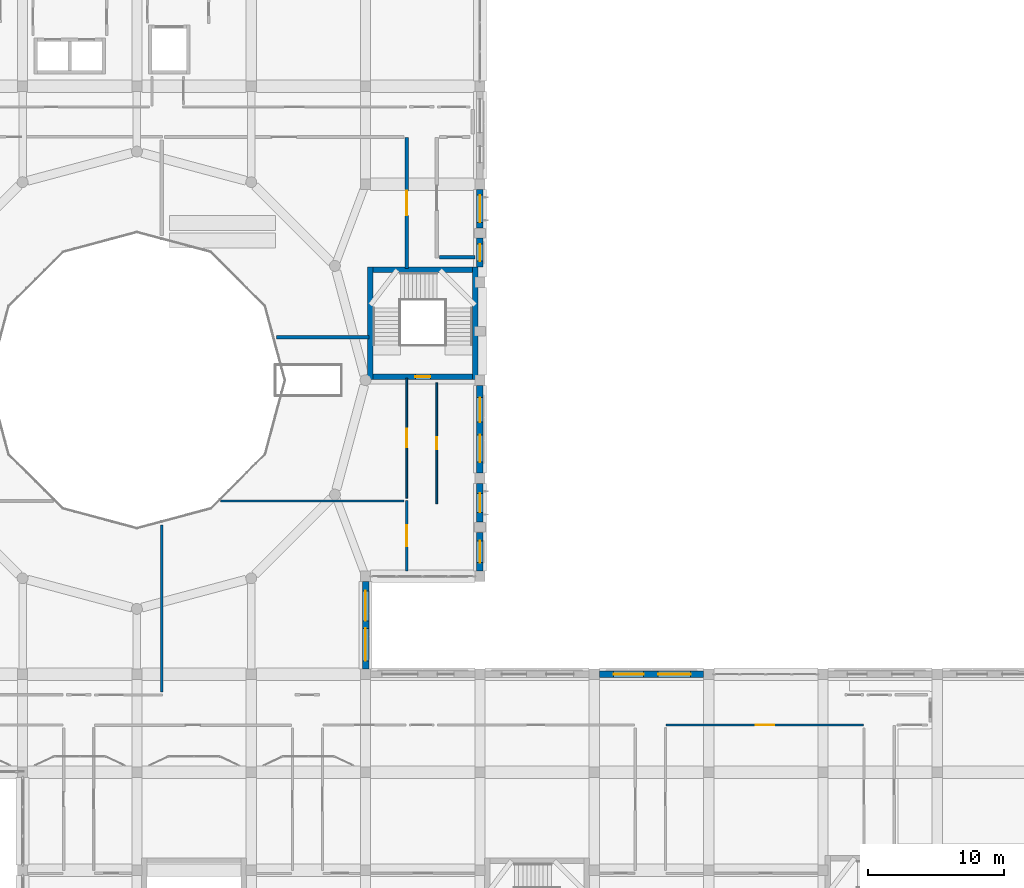
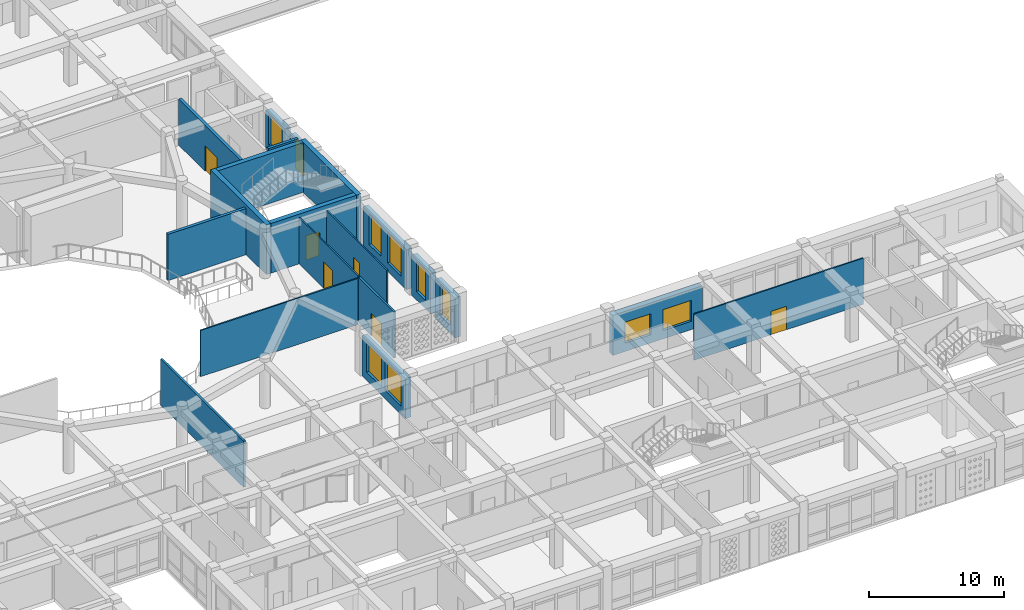
# One storey, part 79 of 121: 20 walls, 10 windows, 6 doors, 16 openings.
"""IFC4 building model written with IfcOpenShell, lengths in metres."""

from ifc_helpers import new_model, si_unit, derived_unit, direction, frame, frame_2d, origin, place, context, subcontext, project, spatial, rectangle, extrude, material, layer, layer_set, type_object, element, fill, save


model = new_model("IFC4")

# Units and contexts
model_context = context("Model", 3, precision=1e-05, world=origin(), true_north=direction((0.0, 1.0)))
body_context = subcontext(model_context, "Body", "Model", "MODEL_VIEW")
ifc_project = project(units=[si_unit("LENGTHUNIT", "METRE"), si_unit("AREAUNIT", "SQUARE_METRE"), si_unit("VOLUMEUNIT", "CUBIC_METRE"), si_unit("PLANEANGLEUNIT", "RADIAN"), si_unit("MASSUNIT", "GRAM", prefix="KILO"), derived_unit("THERMALTRANSMITTANCEUNIT", [(si_unit("POWERUNIT", "WATT"), 1), (si_unit("LENGTHUNIT", "METRE"), -2), (si_unit("THERMODYNAMICTEMPERATUREUNIT", "KELVIN"), -1)])], contexts=[model_context])

# Site, building, storey
site_placement = place(None, origin())
site = spatial("IfcSite", under=ifc_project, at=site_placement, CompositionType="ELEMENT")
building_placement = place(site_placement, origin())
building = spatial("IfcBuilding", under=site, at=building_placement, Name="Veybourne Emporium", CompositionType="ELEMENT")
storey_placement = place(building_placement, frame((0.0, 0.0, 5.39990234375)))
storey = spatial("IfcBuildingStorey", under=building, at=storey_placement, Name="L01", CompositionType="ELEMENT", Elevation=5.39990234375)

# Wall, openings, windows
ifc_material_1 = material(Name="Portland Limestone Ashlar", Category="masonry")
ifc_layer_1 = layer(ifc_material_1, 0.47998046875)
ifc_layer_set_1 = layer_set([ifc_layer_1], Name="Portland Limestone Ashlar")
wall_type_1 = type_object("IfcWallType", Name="ExtWall_EW-01", PredefinedType="SOLIDWALL", material=ifc_layer_set_1)
wall_1_placement = place(storey_placement, frame((92.39990234375, 35.625, 0.0), z_axis=(0.0, 0.0, 1.0), x_axis=(0.0, -1.0, 0.0)))
wall_1 = element("IfcWall", 1, at=wall_1_placement, inside=storey, type_object=wall_type_1, Name="L01 Portland stone external wall 044", PredefinedType="SOLIDWALL", context=body_context, shape_type="SweptSolid", body=[
    extrude(rectangle(XDim=6.449951171875, YDim=0.47998046875, at=frame_2d((3.22509765625, 0.0))), origin(), (0.0, 0.0, 1.0), 3.630126953125),
])
opening_1_placement = place(wall_1_placement, frame((0.7060546875, 0.0, 0.75)))
opening_1 = element("IfcOpeningElement", 2, at=opening_1_placement, cuts=wall_1, Name="Opening W-38", PredefinedType="OPENING", context=body_context, shape_type="SweptSolid", body=[
    extrude(rectangle(XDim=2.199951171875, YDim=2.6201171875, at=frame_2d((1.10009765625, 1.31005859375))), frame((0.0, 0.260009765625, 0.0), z_axis=(0.0, -1.0, 0.0), x_axis=(1.0, 0.0, 0.0)), (0.0, 0.0, 1.0), 0.52001953125),
])
opening_2_placement = place(wall_1_placement, frame((3.444091796875, 0.0, 0.75)))
opening_2 = element("IfcOpeningElement", 3, at=opening_2_placement, cuts=wall_1, Name="Opening W-39", PredefinedType="OPENING", context=body_context, shape_type="SweptSolid", body=[
    extrude(rectangle(XDim=2.39990234375, YDim=2.6201171875, at=frame_2d((1.199951171875, 1.31005859375))), frame((0.0, 0.260009765625, 0.0), z_axis=(0.0, -1.0, 0.0), x_axis=(1.0, 0.0, 0.0)), (0.0, 0.0, 1.0), 0.52001953125),
])
ifc_material_2 = material(Name="Low-E Triple Glazing", Category="glass")
window_type_1 = type_object("IfcWindowType", Name="Win_W-38", PartitioningType="TRIPLE_PANEL_VERTICAL", PredefinedType="WINDOW", material=ifc_material_2)
window_1_placement = place(opening_1_placement, origin())
window_1 = element("IfcWindow", 4, at=window_1_placement, inside=storey, type_object=window_type_1, Name="L01 tripartite bronze casement window W-38 (44.1)", OverallHeight=2.6201171875, OverallWidth=2.199951171875, PartitioningType="TRIPLE_PANEL_VERTICAL", PredefinedType="WINDOW", context=body_context, shape_type="SweptSolid", body=[
    extrude(rectangle(XDim=2.199951171875, YDim=2.6201171875, at=frame_2d((1.10009765625, 1.31005859375))), frame((0.0, 0.030029296875, 0.0), z_axis=(0.0, -1.0, 0.0), x_axis=(1.0, 0.0, 0.0)), (0.0, 0.0, 1.0), 0.06005859375),
])
fill(opening_1, window_1)
window_type_2 = type_object("IfcWindowType", Name="Win_W-39", PartitioningType="TRIPLE_PANEL_VERTICAL", PredefinedType="WINDOW", material=ifc_material_2)
window_2_placement = place(opening_2_placement, origin())
window_2 = element("IfcWindow", 5, at=window_2_placement, inside=storey, type_object=window_type_2, Name="L01 tripartite bronze casement window W-39 (44.2)", OverallHeight=2.6201171875, OverallWidth=2.39990234375, PartitioningType="TRIPLE_PANEL_VERTICAL", PredefinedType="WINDOW", context=body_context, shape_type="SweptSolid", body=[
    extrude(rectangle(XDim=2.39990234375, YDim=2.6201171875, at=frame_2d((1.199951171875, 1.31005859375))), frame((0.0, 0.030029296875, 0.0), z_axis=(0.0, -1.0, 0.0), x_axis=(1.0, 0.0, 0.0)), (0.0, 0.0, 1.0), 0.06005859375),
])
fill(opening_2, window_2)

# Wall, opening, window
wall_2_placement = place(storey_placement, frame((100.800048828125, 42.824951171875, 0.0), z_axis=(0.0, 0.0, 1.0), x_axis=(0.0, -1.0, 0.0)))
wall_2 = element("IfcWall", 6, at=wall_2_placement, inside=storey, type_object=wall_type_1, Name="L01 Portland stone external wall 049A", PredefinedType="SOLIDWALL", context=body_context, shape_type="SweptSolid", body=[
    extrude(rectangle(XDim=2.85498046875, YDim=0.47998046875, at=frame_2d((1.427490234375, 0.0))), origin(), (0.0, 0.0, 1.0), 3.630126953125),
])
opening_3_placement = place(wall_2_placement, frame((0.7275390625, 0.0, 0.75)))
opening_3 = element("IfcOpeningElement", 7, at=opening_3_placement, cuts=wall_2, Name="Opening W-42", PredefinedType="OPENING", context=body_context, shape_type="SweptSolid", body=[
    extrude(rectangle(XDim=1.39990234375, YDim=2.72998046875, at=frame_2d((0.699951171875, 1.364990234375))), frame((0.0, 0.260009765625, 0.0), z_axis=(0.0, -1.0, 0.0), x_axis=(1.0, 0.0, 0.0)), (0.0, 0.0, 1.0), 0.52001953125),
])
window_type_3 = type_object("IfcWindowType", Name="Win_W-42", PartitioningType="DOUBLE_PANEL_VERTICAL", PredefinedType="WINDOW", material=ifc_material_2)
window_3_placement = place(opening_3_placement, origin())
window_3 = element("IfcWindow", 8, at=window_3_placement, inside=storey, type_object=window_type_3, Name="L01 tripartite bronze casement window W-42 (49A)", OverallHeight=2.72998046875, OverallWidth=1.39990234375, PartitioningType="DOUBLE_PANEL_VERTICAL", PredefinedType="WINDOW", context=body_context, shape_type="SweptSolid", body=[
    extrude(rectangle(XDim=1.39990234375, YDim=2.72998046875, at=frame_2d((0.699951171875, 1.364990234375))), frame((0.0, 0.030029296875, 0.0), z_axis=(0.0, -1.0, 0.0), x_axis=(1.0, 0.0, 0.0)), (0.0, 0.0, 1.0), 0.06005859375),
])
fill(opening_3, window_3)

wall_3_placement = place(storey_placement, frame((100.800048828125, 39.22998046875, 0.0), z_axis=(0.0, 0.0, 1.0), x_axis=(0.0, -1.0, 0.0)))
wall_3 = element("IfcWall", 9, at=wall_3_placement, inside=storey, type_object=wall_type_1, Name="L01 Portland stone external wall 049B", PredefinedType="SOLIDWALL", context=body_context, shape_type="SweptSolid", body=[
    extrude(rectangle(XDim=2.85498046875, YDim=0.47998046875, at=frame_2d((1.427490234375, 0.0))), origin(), (0.0, 0.0, 1.0), 3.630126953125),
])
opening_4_placement = place(wall_3_placement, frame((0.62744140625, 0.0, 0.75)))
opening_4 = element("IfcOpeningElement", 10, at=opening_4_placement, cuts=wall_3, Name="Opening W-43", PredefinedType="OPENING", context=body_context, shape_type="SweptSolid", body=[
    extrude(rectangle(XDim=1.60009765625, YDim=2.72998046875, at=frame_2d((0.800048828125, 1.364990234375))), frame((0.0, 0.260009765625, 0.0), z_axis=(0.0, -1.0, 0.0), x_axis=(1.0, 0.0, 0.0)), (0.0, 0.0, 1.0), 0.52001953125),
])
window_type_4 = type_object("IfcWindowType", Name="Win_W-43", PartitioningType="DOUBLE_PANEL_VERTICAL", PredefinedType="WINDOW", material=ifc_material_2)
window_4_placement = place(opening_4_placement, origin())
window_4 = element("IfcWindow", 11, at=window_4_placement, inside=storey, type_object=window_type_4, Name="L01 tripartite bronze casement window W-43 (49B)", OverallHeight=2.72998046875, OverallWidth=1.60009765625, PartitioningType="DOUBLE_PANEL_VERTICAL", PredefinedType="WINDOW", context=body_context, shape_type="SweptSolid", body=[
    extrude(rectangle(XDim=1.60009765625, YDim=2.72998046875, at=frame_2d((0.800048828125, 1.364990234375))), frame((0.0, 0.030029296875, 0.0), z_axis=(0.0, -1.0, 0.0), x_axis=(1.0, 0.0, 0.0)), (0.0, 0.0, 1.0), 0.06005859375),
])
fill(opening_4, window_4)

# Wall, openings, windows
wall_4_placement = place(storey_placement, frame((100.800048828125, 50.02490234375, 0.0), z_axis=(0.0, 0.0, 1.0), x_axis=(0.0, -1.0, 0.0)))
wall_4 = element("IfcWall", 12, at=wall_4_placement, inside=storey, type_object=wall_type_1, Name="L01 Portland stone external wall 050", PredefinedType="SOLIDWALL", context=body_context, shape_type="SweptSolid", body=[
    extrude(rectangle(XDim=6.449951171875, YDim=0.47998046875, at=frame_2d((3.22509765625, 0.0))), origin(), (0.0, 0.0, 1.0), 3.630126953125),
])
opening_5_placement = place(wall_4_placement, frame((0.906005859375, 0.0, 0.75)))
opening_5 = element("IfcOpeningElement", 13, at=opening_5_placement, cuts=wall_4, Name="Opening W-44", PredefinedType="OPENING", context=body_context, shape_type="SweptSolid", body=[
    extrude(rectangle(XDim=1.800048828125, YDim=2.72998046875, at=frame_2d((0.89990234375, 1.364990234375))), frame((0.0, 0.260009765625, 0.0), z_axis=(0.0, -1.0, 0.0), x_axis=(1.0, 0.0, 0.0)), (0.0, 0.0, 1.0), 0.52001953125),
])
opening_6_placement = place(wall_4_placement, frame((3.64404296875, 0.0, 0.75)))
opening_6 = element("IfcOpeningElement", 14, at=opening_6_placement, cuts=wall_4, Name="Opening W-45", PredefinedType="OPENING", context=body_context, shape_type="SweptSolid", body=[
    extrude(rectangle(XDim=2.0, YDim=2.72998046875, at=frame_2d((1.0, 1.364990234375))), frame((0.0, 0.260009765625, 0.0), z_axis=(0.0, -1.0, 0.0), x_axis=(1.0, 0.0, 0.0)), (0.0, 0.0, 1.0), 0.52001953125),
])
window_type_5 = type_object("IfcWindowType", Name="Win_W-44", PartitioningType="DOUBLE_PANEL_VERTICAL", PredefinedType="WINDOW", material=ifc_material_2)
window_5_placement = place(opening_5_placement, origin())
window_5 = element("IfcWindow", 15, at=window_5_placement, inside=storey, type_object=window_type_5, Name="L01 tripartite bronze casement window W-44 (50.1)", OverallHeight=2.72998046875, OverallWidth=1.800048828125, PartitioningType="DOUBLE_PANEL_VERTICAL", PredefinedType="WINDOW", context=body_context, shape_type="SweptSolid", body=[
    extrude(rectangle(XDim=1.800048828125, YDim=2.72998046875, at=frame_2d((0.89990234375, 1.364990234375))), frame((0.0, 0.030029296875, 0.0), z_axis=(0.0, -1.0, 0.0), x_axis=(1.0, 0.0, 0.0)), (0.0, 0.0, 1.0), 0.06005859375),
])
fill(opening_5, window_5)
window_type_6 = type_object("IfcWindowType", Name="Win_W-45", PartitioningType="TRIPLE_PANEL_VERTICAL", PredefinedType="WINDOW", material=ifc_material_2)
window_6_placement = place(opening_6_placement, origin())
window_6 = element("IfcWindow", 16, at=window_6_placement, inside=storey, type_object=window_type_6, Name="L01 tripartite bronze casement window W-45 (50.2)", OverallHeight=2.72998046875, OverallWidth=2.0, PartitioningType="TRIPLE_PANEL_VERTICAL", PredefinedType="WINDOW", context=body_context, shape_type="SweptSolid", body=[
    extrude(rectangle(XDim=2.0, YDim=2.72998046875, at=frame_2d((1.0, 1.364990234375))), frame((0.0, 0.030029296875, 0.0), z_axis=(0.0, -1.0, 0.0), x_axis=(1.0, 0.0, 0.0)), (0.0, 0.0, 1.0), 0.06005859375),
])
fill(opening_6, window_6)

# Wall, opening, window
wall_5_placement = place(storey_placement, frame((100.800048828125, 64.425048828125, 0.0), z_axis=(0.0, 0.0, 1.0), x_axis=(0.0, -1.0, 0.0)))
wall_5 = element("IfcWall", 17, at=wall_5_placement, inside=storey, type_object=wall_type_1, Name="L01 Portland stone external wall 052A", PredefinedType="SOLIDWALL", context=body_context, shape_type="SweptSolid", body=[
    extrude(rectangle(XDim=2.85498046875, YDim=0.47998046875, at=frame_2d((1.427490234375, 0.0))), origin(), (0.0, 0.0, 1.0), 3.630126953125),
])
opening_7_placement = place(wall_5_placement, frame((0.427490234375, 0.0, 0.75)))
opening_7 = element("IfcOpeningElement", 18, at=opening_7_placement, cuts=wall_5, Name="Opening W-46", PredefinedType="OPENING", context=body_context, shape_type="SweptSolid", body=[
    extrude(rectangle(XDim=2.0, YDim=2.72998046875, at=frame_2d((1.0, 1.364990234375))), frame((0.0, 0.260009765625, 0.0), z_axis=(0.0, -1.0, 0.0), x_axis=(1.0, 0.0, 0.0)), (0.0, 0.0, 1.0), 0.52001953125),
])
window_type_7 = type_object("IfcWindowType", Name="Win_W-46", PartitioningType="TRIPLE_PANEL_VERTICAL", PredefinedType="WINDOW", material=ifc_material_2)
window_7_placement = place(opening_7_placement, origin())
window_7 = element("IfcWindow", 19, at=window_7_placement, inside=storey, type_object=window_type_7, Name="L01 tripartite bronze casement window W-46 (52A)", OverallHeight=2.72998046875, OverallWidth=2.0, PartitioningType="TRIPLE_PANEL_VERTICAL", PredefinedType="WINDOW", context=body_context, shape_type="SweptSolid", body=[
    extrude(rectangle(XDim=2.0, YDim=2.72998046875, at=frame_2d((1.0, 1.364990234375))), frame((0.0, 0.030029296875, 0.0), z_axis=(0.0, -1.0, 0.0), x_axis=(1.0, 0.0, 0.0)), (0.0, 0.0, 1.0), 0.06005859375),
])
fill(opening_7, window_7)

wall_6_placement = place(storey_placement, frame((100.800048828125, 60.830078125, 0.0), z_axis=(0.0, 0.0, 1.0), x_axis=(0.0, -1.0, 0.0)))
wall_6 = element("IfcWall", 20, at=wall_6_placement, inside=storey, type_object=wall_type_1, Name="L01 Portland stone external wall 052B", PredefinedType="SOLIDWALL", context=body_context, shape_type="SweptSolid", body=[
    extrude(rectangle(XDim=2.110107421875, YDim=0.47998046875, at=frame_2d((1.05517578125, 0.0))), origin(), (0.0, 0.0, 1.0), 3.630126953125),
])
opening_8_placement = place(wall_6_placement, frame((0.425048828125, 0.0, 0.75)))
opening_8 = element("IfcOpeningElement", 21, at=opening_8_placement, cuts=wall_6, Name="Opening W-47", PredefinedType="OPENING", context=body_context, shape_type="SweptSolid", body=[
    extrude(rectangle(XDim=1.260009765625, YDim=2.72998046875, at=frame_2d((0.6298828125, 1.364990234375))), frame((0.0, 0.260009765625, 0.0), z_axis=(0.0, -1.0, 0.0), x_axis=(1.0, 0.0, 0.0)), (0.0, 0.0, 1.0), 0.52001953125),
])
window_type_8 = type_object("IfcWindowType", Name="Win_W-47", PartitioningType="TRIPLE_PANEL_VERTICAL", PredefinedType="WINDOW", material=ifc_material_2)
window_8_placement = place(opening_8_placement, origin())
window_8 = element("IfcWindow", 22, at=window_8_placement, inside=storey, type_object=window_type_8, Name="L01 tripartite bronze casement window W-47 (52B)", OverallHeight=2.72998046875, OverallWidth=1.260009765625, PartitioningType="TRIPLE_PANEL_VERTICAL", PredefinedType="WINDOW", context=body_context, shape_type="SweptSolid", body=[
    extrude(rectangle(XDim=1.260009765625, YDim=2.72998046875, at=frame_2d((0.6298828125, 1.364990234375))), frame((0.0, 0.030029296875, 0.0), z_axis=(0.0, -1.0, 0.0), x_axis=(1.0, 0.0, 0.0)), (0.0, 0.0, 1.0), 0.06005859375),
])
fill(opening_8, window_8)

# Wall, openings, windows
wall_7_placement = place(storey_placement, frame((109.574951171875, 28.800048828125, 0.0), z_axis=(0.0, 0.0, 1.0), x_axis=(1.0, 0.0, 0.0)))
wall_7 = element("IfcWall", 23, at=wall_7_placement, inside=storey, type_object=wall_type_1, Name="L01 Portland stone external wall 064", PredefinedType="SOLIDWALL", context=body_context, shape_type="SweptSolid", body=[
    extrude(rectangle(XDim=7.650146484375, YDim=0.47998046875, at=frame_2d((3.8251953125, 0.0))), origin(), (0.0, 0.0, 1.0), 3.630126953125),
])
opening_9_placement = place(wall_7_placement, frame((1.0419921875, 0.0, 0.75)))
opening_9 = element("IfcOpeningElement", 24, at=opening_9_placement, cuts=wall_7, Name="Opening W-06", PredefinedType="OPENING", context=body_context, shape_type="SweptSolid", body=[
    extrude(rectangle(XDim=2.199951171875, YDim=1.89990234375, at=frame_2d((1.10009765625, 0.949951171875))), frame((0.0, 0.260009765625, 0.0), z_axis=(0.0, -1.0, 0.0), x_axis=(1.0, 0.0, 0.0)), (0.0, 0.0, 1.0), 0.52001953125),
])
opening_10_placement = place(wall_7_placement, frame((4.30810546875, 0.0, 0.75)))
opening_10 = element("IfcOpeningElement", 25, at=opening_10_placement, cuts=wall_7, Name="Opening W-07", PredefinedType="OPENING", context=body_context, shape_type="SweptSolid", body=[
    extrude(rectangle(XDim=2.39990234375, YDim=1.89990234375, at=frame_2d((1.199951171875, 0.949951171875))), frame((0.0, 0.260009765625, 0.0), z_axis=(0.0, -1.0, 0.0), x_axis=(1.0, 0.0, 0.0)), (0.0, 0.0, 1.0), 0.52001953125),
])
window_type_9 = type_object("IfcWindowType", Name="Win_W-06", PartitioningType="TRIPLE_PANEL_VERTICAL", PredefinedType="WINDOW", material=ifc_material_2)
window_9_placement = place(opening_9_placement, origin())
window_9 = element("IfcWindow", 26, at=window_9_placement, inside=storey, type_object=window_type_9, Name="L01 tripartite bronze casement window W-06 (64.1)", OverallHeight=1.89990234375, OverallWidth=2.199951171875, PartitioningType="TRIPLE_PANEL_VERTICAL", PredefinedType="WINDOW", context=body_context, shape_type="SweptSolid", body=[
    extrude(rectangle(XDim=2.199951171875, YDim=1.89990234375, at=frame_2d((1.10009765625, 0.949951171875))), frame((0.0, 0.030029296875, 0.0), z_axis=(0.0, -1.0, 0.0), x_axis=(1.0, 0.0, 0.0)), (0.0, 0.0, 1.0), 0.06005859375),
])
fill(opening_9, window_9)
window_type_10 = type_object("IfcWindowType", Name="Win_W-07", PartitioningType="TRIPLE_PANEL_VERTICAL", PredefinedType="WINDOW", material=ifc_material_2)
window_10_placement = place(opening_10_placement, origin())
window_10 = element("IfcWindow", 27, at=window_10_placement, inside=storey, type_object=window_type_10, Name="L01 tripartite bronze casement window W-07 (64.2)", OverallHeight=1.89990234375, OverallWidth=2.39990234375, PartitioningType="TRIPLE_PANEL_VERTICAL", PredefinedType="WINDOW", context=body_context, shape_type="SweptSolid", body=[
    extrude(rectangle(XDim=2.39990234375, YDim=1.89990234375, at=frame_2d((1.199951171875, 0.949951171875))), frame((0.0, 0.030029296875, 0.0), z_axis=(0.0, -1.0, 0.0), x_axis=(1.0, 0.0, 0.0)), (0.0, 0.0, 1.0), 0.06005859375),
])
fill(opening_10, window_10)

# Wall, opening, door
ifc_material_3 = material(Name="Concrete C40/50", Category="concrete")
ifc_layer_2 = layer(ifc_material_3, 0.39990234375)
ifc_layer_set_2 = layer_set([ifc_layer_2], Name="Concrete C40/50")
wall_type_2 = type_object("IfcWallType", Name="IntWall_CW-01", PredefinedType="SHEAR", material=ifc_layer_set_2)
wall_8_placement = place(storey_placement, frame((100.25, 50.64990234375, 0.0), z_axis=(0.0, 0.0, 1.0), x_axis=(-1.0, 0.0, 0.0)))
wall_8 = element("IfcWall", 28, at=wall_8_placement, inside=storey, type_object=wall_type_2, Name="Core stair ST-07 south shear wall (L01)", PredefinedType="SHEAR", context=body_context, shape_type="SweptSolid", body=[
    extrude(rectangle(XDim=7.300048828125, YDim=0.39990234375, at=frame_2d((3.64990234375, 0.0))), origin(), (0.0, 0.0, 1.0), 4.5),
])
opening_11_placement = place(wall_8_placement, frame((3.10009765625, 0.0, 0.0)))
opening_11 = element("IfcOpeningElement", 29, at=opening_11_placement, cuts=wall_8, Name="Opening FD-01", PredefinedType="OPENING", context=body_context, shape_type="SweptSolid", body=[
    extrude(rectangle(XDim=1.10009765625, YDim=2.199951171875, at=frame_2d((0.550048828125, 1.10009765625))), frame((0.0, 0.219970703125, 0.0), z_axis=(0.0, -1.0, 0.0), x_axis=(1.0, 0.0, 0.0)), (0.0, 0.0, 1.0), 0.43994140625),
])
ifc_material_4 = material(Name="Patinated Architectural Bronze", Category="bronze")
door_type_1 = type_object("IfcDoorType", Name="FireDoor_FD-01", OperationType="NOTDEFINED", PredefinedType="DOOR", material=ifc_material_4)
door_1_placement = place(opening_11_placement, origin())
door_1 = element("IfcDoor", 30, at=door_1_placement, inside=storey, type_object=door_type_1, Name="Stair ST-07 fire door (L01)", OperationType="SINGLE_SWING_LEFT", OverallHeight=2.199951171875, OverallWidth=1.10009765625, PredefinedType="DOOR", context=body_context, shape_type="SweptSolid", body=[
    extrude(rectangle(XDim=1.10009765625, YDim=2.199951171875, at=frame_2d((0.550048828125, 1.10009765625))), frame((0.0, 0.02490234375, 0.0), z_axis=(0.0, -1.0, 0.0), x_axis=(1.0, 0.0, 0.0)), (0.0, 0.0, 1.0), 0.050048828125),
])
fill(opening_11, door_1)

# Walls
wall_9_placement = place(storey_placement, frame((92.949951171875, 58.5, 0.0), z_axis=(0.0, 0.0, 1.0), x_axis=(1.0, 0.0, 0.0)))
element("IfcWall", 31, at=wall_9_placement, inside=storey, type_object=wall_type_2, Name="Core stair ST-07 north shear wall (L01)", PredefinedType="SHEAR", context=body_context, shape_type="SweptSolid", body=[
    extrude(rectangle(XDim=7.300048828125, YDim=0.39990234375, at=frame_2d((3.64990234375, 0.0))), origin(), (0.0, 0.0, 1.0), 4.5),
])
for number, where, z_axis, x_axis, name in (
    (32, (92.75, 58.699951171875, 0.0), (0.0, 0.0, 1.0), (0.0, -1.0, 0.0), "Core stair ST-07 west shear wall (L01)"),
    (33, (100.449951171875, 50.449951171875, 0.0), (0.0, 0.0, 1.0), (0.0, 1.0, 0.0), "Core stair ST-07 east shear wall (L01)"),
):
    element("IfcWall", number, at=place(storey_placement, frame(where, z_axis=z_axis, x_axis=x_axis)), inside=storey, type_object=wall_type_2, Name=name, PredefinedType="SHEAR", context=body_context, shape_type="SweptSolid", body=[
        extrude(rectangle(XDim=8.25, YDim=0.39990234375, at=frame_2d((4.125, 0.0))), origin(), (0.0, 0.0, 1.0), 4.5),
    ])

# Wall, opening, door
ifc_material_5 = material(Name="Concrete C32/40", Category="concrete")
ifc_layer_3 = layer(ifc_material_5, 0.25)
ifc_layer_set_3 = layer_set([ifc_layer_3], Name="Concrete C32/40")
wall_type_3 = type_object("IfcWallType", Name="IntWall_FW-01", PredefinedType="SOLIDWALL", material=ifc_layer_set_3)
wall_10_placement = place(storey_placement, frame((95.419921875, 58.590087890625, 0.0), z_axis=(0.0, 0.0, 1.0), x_axis=(0.0, 1.0, 0.0)))
wall_10 = element("IfcWall", 34, at=wall_10_placement, inside=storey, type_object=wall_type_3, Name="L01 interior partition FW-01 #067", PredefinedType="SOLIDWALL", context=body_context, shape_type="SweptSolid", body=[
    extrude(rectangle(XDim=9.6298828125, YDim=0.25, at=frame_2d((4.81494140625, 0.0))), origin(), (0.0, 0.0, 1.0), 4.18017578125),
])
opening_12_placement = place(wall_10_placement, frame((3.9150390625, 0.0, 0.0)))
opening_12 = element("IfcOpeningElement", 35, at=opening_12_placement, cuts=wall_10, Name="Opening FD-03", PredefinedType="OPENING", context=body_context, shape_type="SweptSolid", body=[
    extrude(rectangle(XDim=1.800048828125, YDim=2.300048828125, at=frame_2d((0.89990234375, 1.14990234375))), frame((0.0, 0.14501953125, 0.0), z_axis=(0.0, -1.0, 0.0), x_axis=(1.0, 0.0, 0.0)), (0.0, 0.0, 1.0), 0.2900390625),
])
door_type_2 = type_object("IfcDoorType", Name="FireDoor_FD-03", OperationType="DOUBLE_DOOR_SINGLE_SWING", PredefinedType="DOOR", material=ifc_material_4)
door_2_placement = place(opening_12_placement, origin())
door_2 = element("IfcDoor", 36, at=door_2_placement, inside=storey, type_object=door_type_2, Name="L01 interior door FD-03 (PART-L01-067)", OperationType="DOUBLE_DOOR_SINGLE_SWING", OverallHeight=2.300048828125, OverallWidth=1.800048828125, PredefinedType="DOOR", context=body_context, shape_type="SweptSolid", body=[
    extrude(rectangle(XDim=1.800048828125, YDim=2.300048828125, at=frame_2d((0.89990234375, 1.14990234375))), frame((0.0, 0.02490234375, 0.0), z_axis=(0.0, -1.0, 0.0), x_axis=(1.0, 0.0, 0.0)), (0.0, 0.0, 1.0), 0.050048828125),
])
fill(opening_12, door_2)

# Walls
wall_11_placement = place(storey_placement, frame((85.860107421875, 53.56005859375, 0.0), z_axis=(0.0, 0.0, 1.0), x_axis=(1.0, 0.0, 0.0)))
element("IfcWall", 37, at=wall_11_placement, inside=storey, type_object=wall_type_3, Name="L01 interior partition FW-01 #191", PredefinedType="SOLIDWALL", context=body_context, shape_type="SweptSolid", body=[
    extrude(rectangle(XDim=6.7998046875, YDim=0.25, at=frame_2d((3.39990234375, 0.0))), origin(), (0.0, 0.0, 1.0), 4.18017578125),
])
wall_12_placement = place(storey_placement, frame((97.840087890625, 59.429931640625, 0.0), z_axis=(0.0, 0.0, 1.0), x_axis=(1.0, 0.0, 0.0)))
element("IfcWall", 38, at=wall_12_placement, inside=storey, type_object=wall_type_3, Name="L01 interior partition FW-01 #197", PredefinedType="SOLIDWALL", context=body_context, shape_type="SweptSolid", body=[
    extrude(rectangle(XDim=2.58984375, YDim=0.25, at=frame_2d((1.294921875, 0.0))), origin(), (0.0, 0.0, 1.0), 4.18017578125),
])

# Wall, opening, door
ifc_material_6 = material(Name="Gypsum Acoustic Board", Category="gypsum")
ifc_layer_4 = layer(ifc_material_6, 0.179931640625)
ifc_layer_set_4 = layer_set([ifc_layer_4], Name="Gypsum Acoustic Board")
wall_type_4 = type_object("IfcWallType", Name="IntWall_IW-01", PredefinedType="PARTITIONING", material=ifc_layer_set_4)
wall_13_placement = place(storey_placement, frame((95.419921875, 36.3701171875, 0.0), z_axis=(0.0, 0.0, 1.0), x_axis=(0.0, 1.0, 0.0)))
wall_13 = element("IfcWall", 39, at=wall_13_placement, inside=storey, type_object=wall_type_4, Name="L01 interior partition IW-01 #088", PredefinedType="PARTITIONING", context=body_context, shape_type="SweptSolid", body=[
    extrude(rectangle(XDim=5.2099609375, YDim=0.179931640625, at=frame_2d((2.60498046875, 0.0))), origin(), (0.0, 0.0, 1.0), 4.18017578125),
])
opening_13_placement = place(wall_13_placement, frame((1.844970703125, 0.0, 0.0)))
opening_13 = element("IfcOpeningElement", 40, at=opening_13_placement, cuts=wall_13, Name="Opening D-05", PredefinedType="OPENING", context=body_context, shape_type="SweptSolid", body=[
    extrude(rectangle(XDim=1.52001953125, YDim=2.050048828125, at=frame_2d((0.760009765625, 1.02490234375))), frame((0.0, 0.10986328125, 0.0), z_axis=(0.0, -1.0, 0.0), x_axis=(1.0, 0.0, 0.0)), (0.0, 0.0, 1.0), 0.219970703125),
])
ifc_material_7 = material(Name="European Oak Veneer and Bronze", Category="wood")
door_type_3 = type_object("IfcDoorType", Name="IntDoor_D-05", OperationType="NOTDEFINED", PredefinedType="DOOR", material=ifc_material_7)
door_3_placement = place(opening_13_placement, origin())
door_3 = element("IfcDoor", 41, at=door_3_placement, inside=storey, type_object=door_type_3, Name="L01 interior door D-05 (PART-L01-088)", OperationType="SINGLE_SWING_RIGHT", OverallHeight=2.050048828125, OverallWidth=1.52001953125, PredefinedType="DOOR", context=body_context, shape_type="SweptSolid", body=[
    extrude(rectangle(XDim=1.52001953125, YDim=2.050048828125, at=frame_2d((0.760009765625, 1.02490234375))), frame((0.0, 0.02490234375, 0.0), z_axis=(0.0, -1.0, 0.0), x_axis=(1.0, 0.0, 0.0)), (0.0, 0.0, 1.0), 0.050048828125),
])
fill(opening_13, door_3)

# Wall
wall_14_placement = place(storey_placement, frame((77.429931640625, 27.489990234375, 0.0), z_axis=(0.0, 0.0, 1.0), x_axis=(0.0, 1.0, 0.0)))
element("IfcWall", 42, at=wall_14_placement, inside=storey, type_object=wall_type_4, Name="L01 interior partition IW-01 #181", PredefinedType="PARTITIONING", context=body_context, shape_type="SweptSolid", body=[
    extrude(rectangle(XDim=12.2939453125, YDim=0.179931640625, at=frame_2d((6.14697265625, 0.0))), origin(), (0.0, 0.0, 1.0), 4.18017578125),
])

# Wall, opening, door
ifc_layer_5 = layer(ifc_material_6, 0.1201171875)
ifc_layer_set_5 = layer_set([ifc_layer_5], Name="Gypsum Acoustic Board")
wall_type_5 = type_object("IfcWallType", Name="IntWall_IW-03", PredefinedType="PARTITIONING", material=ifc_layer_set_5)
wall_15_placement = place(storey_placement, frame((114.47998046875, 25.070068359375, 0.0), z_axis=(0.0, 0.0, 1.0), x_axis=(1.0, 0.0, 0.0)))
wall_15 = element("IfcWall", 43, at=wall_15_placement, inside=storey, type_object=wall_type_5, Name="L01 interior partition IW-03 #021", PredefinedType="PARTITIONING", context=body_context, shape_type="SweptSolid", body=[
    extrude(rectangle(XDim=14.489990234375, YDim=0.1201171875, at=frame_2d((7.2451171875, 0.0))), origin(), (0.0, 0.0, 1.0), 4.18017578125),
])
opening_14_placement = place(wall_15_placement, frame((6.56494140625, 0.0, 0.0)))
opening_14 = element("IfcOpeningElement", 44, at=opening_14_placement, cuts=wall_15, Name="Opening D-10", PredefinedType="OPENING", context=body_context, shape_type="SweptSolid", body=[
    extrude(rectangle(XDim=1.360107421875, YDim=2.1298828125, at=frame_2d((0.68017578125, 1.06494140625))), frame((0.0, 0.080078125, 0.0), z_axis=(0.0, -1.0, 0.0), x_axis=(1.0, 0.0, 0.0)), (0.0, 0.0, 1.0), 0.16015625),
])
door_type_4 = type_object("IfcDoorType", Name="IntDoor_D-10", OperationType="NOTDEFINED", PredefinedType="DOOR", material=ifc_material_7)
door_4_placement = place(opening_14_placement, origin())
door_4 = element("IfcDoor", 45, at=door_4_placement, inside=storey, type_object=door_type_4, Name="L01 interior door D-10 (PART-L01-021)", OperationType="SINGLE_SWING_RIGHT", OverallHeight=2.1298828125, OverallWidth=1.360107421875, PredefinedType="DOOR", context=body_context, shape_type="SweptSolid", body=[
    extrude(rectangle(XDim=1.360107421875, YDim=2.1298828125, at=frame_2d((0.68017578125, 1.06494140625))), frame((0.0, 0.02490234375, 0.0), z_axis=(0.0, -1.0, 0.0), x_axis=(1.0, 0.0, 0.0)), (0.0, 0.0, 1.0), 0.050048828125),
])
fill(opening_14, door_4)

wall_16_placement = place(storey_placement, frame((97.6298828125, 41.320068359375, 0.0), z_axis=(0.0, 0.0, 1.0), x_axis=(0.0, 1.0, 0.0)))
wall_16 = element("IfcWall", 46, at=wall_16_placement, inside=storey, type_object=wall_type_5, Name="L01 interior partition IW-03 #072", PredefinedType="PARTITIONING", context=body_context, shape_type="SweptSolid", body=[
    extrude(rectangle(XDim=8.891357421875, YDim=0.1201171875, at=frame_2d((4.44580078125, 0.0))), origin(), (0.0, 0.0, 1.0), 4.18017578125),
])
opening_15_placement = place(wall_16_placement, frame((4.005615234375, 0.0, 0.0)))
opening_15 = element("IfcOpeningElement", 47, at=opening_15_placement, cuts=wall_16, Name="Opening D-25", PredefinedType="OPENING", context=body_context, shape_type="SweptSolid", body=[
    extrude(rectangle(XDim=0.8798828125, YDim=2.3701171875, at=frame_2d((0.43994140625, 1.18505859375))), frame((0.0, 0.080078125, 0.0), z_axis=(0.0, -1.0, 0.0), x_axis=(1.0, 0.0, 0.0)), (0.0, 0.0, 1.0), 0.16015625),
])
door_type_5 = type_object("IfcDoorType", Name="IntDoor_D-25", OperationType="NOTDEFINED", PredefinedType="DOOR", material=ifc_material_7)
door_5_placement = place(opening_15_placement, origin())
door_5 = element("IfcDoor", 48, at=door_5_placement, inside=storey, type_object=door_type_5, Name="L01 interior door D-25 (PART-L01-072)", OperationType="SINGLE_SWING_LEFT", OverallHeight=2.3701171875, OverallWidth=0.8798828125, PredefinedType="DOOR", context=body_context, shape_type="SweptSolid", body=[
    extrude(rectangle(XDim=0.8798828125, YDim=2.3701171875, at=frame_2d((0.43994140625, 1.18505859375))), frame((0.0, 0.02490234375, 0.0), z_axis=(0.0, -1.0, 0.0), x_axis=(1.0, 0.0, 0.0)), (0.0, 0.0, 1.0), 0.050048828125),
])
fill(opening_15, door_5)

wall_17_placement = place(storey_placement, frame((95.419921875, 41.739990234375, 0.0), z_axis=(0.0, 0.0, 1.0), x_axis=(0.0, 1.0, 0.0)))
wall_17 = element("IfcWall", 49, at=wall_17_placement, inside=storey, type_object=wall_type_5, Name="L01 interior partition IW-03 #075", PredefinedType="PARTITIONING", context=body_context, shape_type="SweptSolid", body=[
    extrude(rectangle(XDim=8.820068359375, YDim=0.1201171875, at=frame_2d((4.41015625, 0.0))), origin(), (0.0, 0.0, 1.0), 4.18017578125),
])
opening_16_placement = place(wall_17_placement, frame((3.72998046875, 0.0, 0.0)))
opening_16 = element("IfcOpeningElement", 50, at=opening_16_placement, cuts=wall_17, Name="Opening D-28", PredefinedType="OPENING", context=body_context, shape_type="SweptSolid", body=[
    extrude(rectangle(XDim=1.360107421875, YDim=2.3701171875, at=frame_2d((0.68017578125, 1.18505859375))), frame((0.0, 0.080078125, 0.0), z_axis=(0.0, -1.0, 0.0), x_axis=(1.0, 0.0, 0.0)), (0.0, 0.0, 1.0), 0.16015625),
])
door_type_6 = type_object("IfcDoorType", Name="IntDoor_D-28", OperationType="NOTDEFINED", PredefinedType="DOOR", material=ifc_material_7)
door_6_placement = place(opening_16_placement, origin())
door_6 = element("IfcDoor", 51, at=door_6_placement, inside=storey, type_object=door_type_6, Name="L01 interior door D-28 (PART-L01-075)", OperationType="SINGLE_SWING_LEFT", OverallHeight=2.3701171875, OverallWidth=1.360107421875, PredefinedType="DOOR", context=body_context, shape_type="SweptSolid", body=[
    extrude(rectangle(XDim=1.360107421875, YDim=2.3701171875, at=frame_2d((0.68017578125, 1.18505859375))), frame((0.0, 0.02490234375, 0.0), z_axis=(0.0, -1.0, 0.0), x_axis=(1.0, 0.0, 0.0)), (0.0, 0.0, 1.0), 0.050048828125),
])
fill(opening_16, door_6)

# Wall
wall_18_placement = place(storey_placement, frame((81.7451171875, 41.530029296875, 0.0), z_axis=(0.0, 0.0, 1.0), x_axis=(1.0, 0.0, 0.0)))
element("IfcWall", 52, at=wall_18_placement, inside=storey, type_object=wall_type_5, Name="L01 interior partition IW-03 #180", PredefinedType="PARTITIONING", context=body_context, shape_type="SweptSolid", body=[
    extrude(rectangle(XDim=13.46484375, YDim=0.1201171875, at=frame_2d((6.732421875, 0.0))), origin(), (0.0, 0.0, 1.0), 4.18017578125),
])

save(model, "model.ifc")
